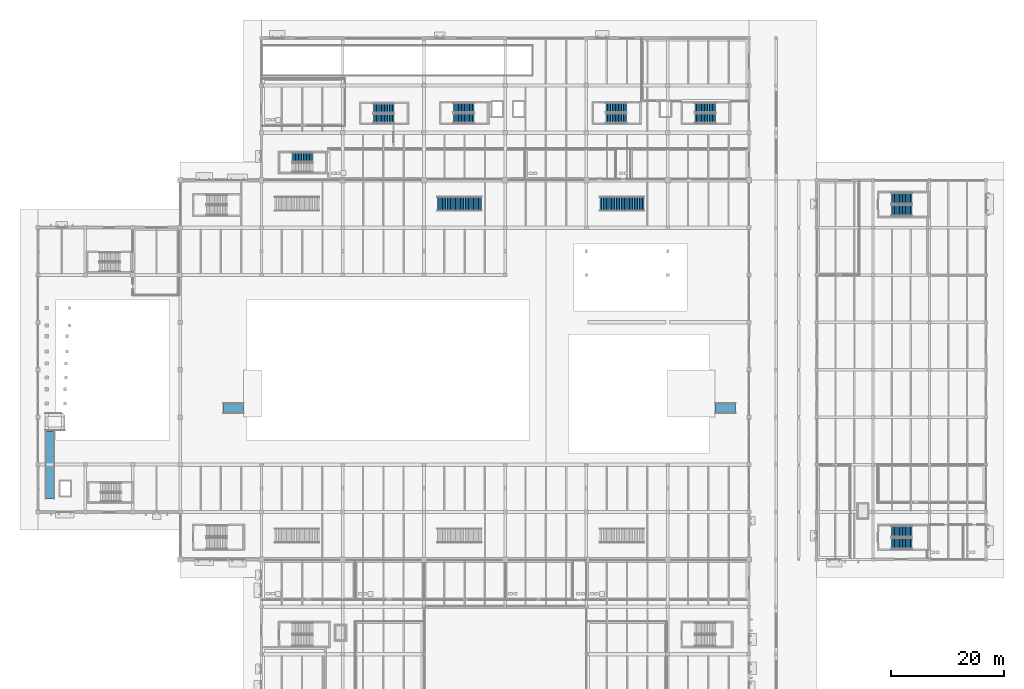
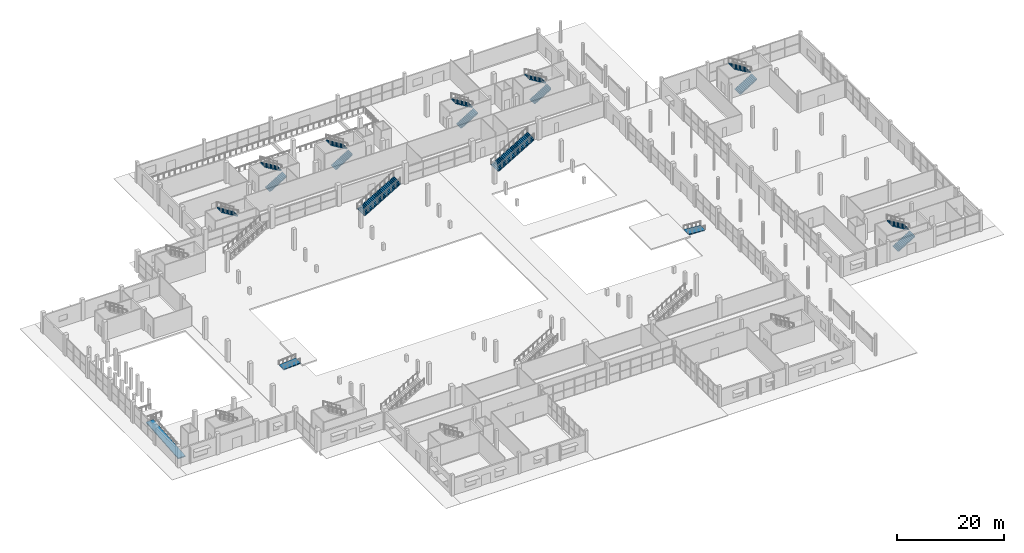
# One storey, part 100 of 130: 15 stair flights, 3 ramp flights, 12 elements without a shape of their own.
"""IFC4 building model written with IfcOpenShell, lengths in metres."""

from ifc_helpers import new_model, si_unit, direction, frame, origin, place, context, subcontext, project, spatial, polyline, outline, extrude, material, layer, layer_set, type_object, element, aggregate, save


model = new_model("IFC4")

# Units and contexts
model_context = context("Model", 3, precision=1e-05, world=origin(), true_north=direction((0.0, 1.0)))
body_context = subcontext(model_context, "Body", "Model", "MODEL_VIEW")
ifc_project = project(units=[si_unit("LENGTHUNIT", "METRE"), si_unit("AREAUNIT", "SQUARE_METRE"), si_unit("VOLUMEUNIT", "CUBIC_METRE"), si_unit("PLANEANGLEUNIT", "RADIAN"), si_unit("MASSUNIT", "GRAM", prefix="KILO"), si_unit("THERMODYNAMICTEMPERATUREUNIT", "KELVIN")], contexts=[model_context])

# Site, building, storey
site_placement = place(None, origin())
site = spatial("IfcSite", under=ifc_project, at=site_placement, CompositionType="ELEMENT")
building_placement = place(site_placement, origin())
building = spatial("IfcBuilding", under=site, at=building_placement, Name="Nduvali Passage Aquatics Centre", CompositionType="ELEMENT")
storey_placement = place(building_placement, origin())
storey = spatial("IfcBuildingStorey", under=building, at=storey_placement, Name="L00", CompositionType="ELEMENT", Elevation=0.0)

# Stair, stair flights
ifc_material = material(Name="Concrete C40/50", Category="concrete")
stair_type_1 = type_object("IfcStairType", Name="INT-STR-CORE168", PredefinedType="HALF_TURN_STAIR", material=ifc_material)
stair_1_placement = place(storey_placement, origin())
stair_1 = element("IfcStair", 1, at=stair_1_placement, inside=storey, type_object=stair_type_1, Name="L00 ST3", PredefinedType="HALF_TURN_STAIR")
stair_flight_type_1 = type_object("IfcStairFlightType", Name="INT-FLT-168", PredefinedType="STRAIGHT", material=ifc_material)
stair_flight_1_placement = place(storey_placement, frame((59.449951171875, 103.340087890625, 0.0), z_axis=(0.0, 0.0, 1.0), x_axis=(1.0, 0.0, 0.0)))
stair_flight_1 = element("IfcStairFlight", 2, at=stair_flight_1_placement, type_object=stair_flight_type_1, Name="ST3 flight 1", NumberOfRisers=14, NumberOfTreads=13, PredefinedType="STRAIGHT", RiserHeight=0.171428571, TreadLength=0.28, context=body_context, shape_type="SweptSolid", body=[
    extrude(outline(polyline([(0.0, 0.0), (0.0, 0.17138671875), (0.280029296875, 0.17138671875), (0.280029296875, 0.3427734375), (0.56005859375, 0.3427734375), (0.56005859375, 0.514404296875), (0.840087890625, 0.514404296875), (0.840087890625, 0.685791015625), (1.1201171875, 0.685791015625), (1.1201171875, 0.857177734375), (1.39990234375, 0.857177734375), (1.39990234375, 1.028564453125), (1.679931640625, 1.028564453125), (1.679931640625, 1.199951171875), (1.9599609375, 1.199951171875), (1.9599609375, 1.371337890625), (2.239990234375, 1.371337890625), (2.239990234375, 1.54296875), (2.52001953125, 1.54296875), (2.52001953125, 1.71435546875), (2.800048828125, 1.71435546875), (2.800048828125, 1.8857421875), (3.080078125, 1.8857421875), (3.080078125, 2.05712890625), (3.360107421875, 2.05712890625), (3.360107421875, 2.228515625), (3.639892578125, 2.228515625), (3.639892578125, 2.39990234375), (3.640625, 2.39990234375), (3.640625, 2.199951171875), (3.639892578125, 2.052734375), (0.287109375, 0.0), (0.0, 0.0)])), frame((0.0, 0.83984375, 0.0), z_axis=(0.0, -1.0, 0.0), x_axis=(1.0, 0.0, 0.0)), (0.0, 0.0, 1.0), 1.679931640625),
])
stair_flight_2_placement = place(storey_placement, frame((63.090087890625, 105.169921875, 2.39990234375), z_axis=(0.0, 0.0, 1.0), x_axis=(-1.0, 0.0, 0.0)))
stair_flight_2 = element("IfcStairFlight", 3, at=stair_flight_2_placement, type_object=stair_flight_type_1, Name="ST3 flight 2", NumberOfRisers=14, NumberOfTreads=13, PredefinedType="STRAIGHT", RiserHeight=0.171428571, TreadLength=0.28, context=body_context, shape_type="SweptSolid", body=[
    extrude(outline(polyline([(0.0, 0.0), (0.0, 0.17138671875), (0.280029296875, 0.17138671875), (0.280029296875, 0.3427734375), (0.56005859375, 0.3427734375), (0.56005859375, 0.514404296875), (0.840087890625, 0.514404296875), (0.840087890625, 0.685791015625), (1.1201171875, 0.685791015625), (1.1201171875, 0.857177734375), (1.39990234375, 0.857177734375), (1.39990234375, 1.028564453125), (1.679931640625, 1.028564453125), (1.679931640625, 1.199951171875), (1.9599609375, 1.199951171875), (1.9599609375, 1.371337890625), (2.239990234375, 1.371337890625), (2.239990234375, 1.54296875), (2.52001953125, 1.54296875), (2.52001953125, 1.71435546875), (2.800048828125, 1.71435546875), (2.800048828125, 1.8857421875), (3.080078125, 1.8857421875), (3.080078125, 2.05712890625), (3.360107421875, 2.05712890625), (3.360107421875, 2.228515625), (3.639892578125, 2.228515625), (3.639892578125, 2.39990234375), (3.640625, 2.39990234375), (3.640625, 2.199951171875), (3.639892578125, 2.052734375), (0.287109375, 0.0), (0.0, 0.0)])), frame((0.0, 0.83984375, 0.0), z_axis=(0.0, -1.0, 0.0), x_axis=(1.0, 0.0, 0.0)), (0.0, 0.0, 1.0), 1.679931640625),
])
aggregate(stair_1, [stair_flight_1, stair_flight_2])

# Stair, stair flight
stair_2_placement = place(storey_placement, origin())
stair_2 = element("IfcStair", 4, at=stair_2_placement, inside=storey, type_object=stair_type_1, Name="L00 ST4", PredefinedType="HALF_TURN_STAIR")
stair_flight_3_placement = place(storey_placement, frame((48.68994140625, 96.469970703125, 2.39990234375), z_axis=(0.0, 0.0, 1.0), x_axis=(-1.0, 0.0, 0.0)))
stair_flight_3 = element("IfcStairFlight", 5, at=stair_flight_3_placement, type_object=stair_flight_type_1, Name="ST4 flight 2", NumberOfRisers=14, NumberOfTreads=13, PredefinedType="STRAIGHT", RiserHeight=0.171428571, TreadLength=0.28, context=body_context, shape_type="SweptSolid", body=[
    extrude(outline(polyline([(0.0, 0.0), (0.0, 0.17138671875), (0.280029296875, 0.17138671875), (0.280029296875, 0.3427734375), (0.56005859375, 0.3427734375), (0.56005859375, 0.514404296875), (0.840087890625, 0.514404296875), (0.840087890625, 0.685791015625), (1.1201171875, 0.685791015625), (1.1201171875, 0.857177734375), (1.39990234375, 0.857177734375), (1.39990234375, 1.028564453125), (1.679931640625, 1.028564453125), (1.679931640625, 1.199951171875), (1.9599609375, 1.199951171875), (1.9599609375, 1.371337890625), (2.239990234375, 1.371337890625), (2.239990234375, 1.54296875), (2.52001953125, 1.54296875), (2.52001953125, 1.71435546875), (2.800048828125, 1.71435546875), (2.800048828125, 1.8857421875), (3.080078125, 1.8857421875), (3.080078125, 2.05712890625), (3.360107421875, 2.05712890625), (3.360107421875, 2.228515625), (3.639892578125, 2.228515625), (3.639892578125, 2.39990234375), (3.640625, 2.39990234375), (3.640625, 2.199951171875), (3.639892578125, 2.052734375), (0.287109375, 0.0), (0.0, 0.0)])), frame((0.0, 0.83984375, 0.0), z_axis=(0.0, -1.0, 0.0), x_axis=(1.0, 0.0, 0.0)), (0.0, 0.0, 1.0), 1.679931640625),
])
aggregate(stair_2, [stair_flight_3])

# Stair, stair flights
stair_type_2 = type_object("IfcStairType", Name="INT-STR-CORE172", PredefinedType="HALF_TURN_STAIR", material=ifc_material)
stair_3_placement = place(storey_placement, origin())
stair_3 = element("IfcStair", 6, at=stair_3_placement, inside=storey, type_object=stair_type_2, Name="L00 ST1", PredefinedType="HALF_TURN_STAIR")
stair_flight_type_2 = type_object("IfcStairFlightType", Name="INT-FLT-172", PredefinedType="STRAIGHT", material=ifc_material)
stair_flight_4_placement = place(storey_placement, frame((73.64990234375, 103.360107421875, 0.0), z_axis=(0.0, 0.0, 1.0), x_axis=(1.0, 0.0, 0.0)))
stair_flight_4 = element("IfcStairFlight", 7, at=stair_flight_4_placement, type_object=stair_flight_type_2, Name="ST1 flight 1", NumberOfRisers=14, NumberOfTreads=13, PredefinedType="STRAIGHT", RiserHeight=0.171428571, TreadLength=0.28, context=body_context, shape_type="SweptSolid", body=[
    extrude(outline(polyline([(0.0, 0.0), (0.0, 0.17138671875), (0.280029296875, 0.17138671875), (0.280029296875, 0.3427734375), (0.56005859375, 0.3427734375), (0.56005859375, 0.514404296875), (0.840087890625, 0.514404296875), (0.840087890625, 0.685791015625), (1.1201171875, 0.685791015625), (1.1201171875, 0.857177734375), (1.39990234375, 0.857177734375), (1.39990234375, 1.028564453125), (1.679931640625, 1.028564453125), (1.679931640625, 1.199951171875), (1.9599609375, 1.199951171875), (1.9599609375, 1.371337890625), (2.239990234375, 1.371337890625), (2.239990234375, 1.54296875), (2.52001953125, 1.54296875), (2.52001953125, 1.71435546875), (2.800048828125, 1.71435546875), (2.800048828125, 1.8857421875), (3.080078125, 1.8857421875), (3.080078125, 2.05712890625), (3.360107421875, 2.05712890625), (3.360107421875, 2.228515625), (3.639892578125, 2.228515625), (3.639892578125, 2.39990234375), (3.640625, 2.39990234375), (3.640625, 2.199951171875), (3.639892578125, 2.052734375), (0.287109375, 0.0), (0.0, 0.0)])), frame((0.0, 0.85986328125, 0.0), z_axis=(0.0, -1.0, 0.0), x_axis=(1.0, 0.0, 0.0)), (0.0, 0.0, 1.0), 1.719970703125),
])
stair_flight_5_placement = place(storey_placement, frame((77.2900390625, 105.22998046875, 2.39990234375), z_axis=(0.0, 0.0, 1.0), x_axis=(-1.0, 0.0, 0.0)))
stair_flight_5 = element("IfcStairFlight", 8, at=stair_flight_5_placement, type_object=stair_flight_type_2, Name="ST1 flight 2", NumberOfRisers=14, NumberOfTreads=13, PredefinedType="STRAIGHT", RiserHeight=0.171428571, TreadLength=0.28, context=body_context, shape_type="SweptSolid", body=[
    extrude(outline(polyline([(0.0, 0.0), (0.0, 0.17138671875), (0.280029296875, 0.17138671875), (0.280029296875, 0.3427734375), (0.56005859375, 0.3427734375), (0.56005859375, 0.514404296875), (0.840087890625, 0.514404296875), (0.840087890625, 0.685791015625), (1.1201171875, 0.685791015625), (1.1201171875, 0.857177734375), (1.39990234375, 0.857177734375), (1.39990234375, 1.028564453125), (1.679931640625, 1.028564453125), (1.679931640625, 1.199951171875), (1.9599609375, 1.199951171875), (1.9599609375, 1.371337890625), (2.239990234375, 1.371337890625), (2.239990234375, 1.54296875), (2.52001953125, 1.54296875), (2.52001953125, 1.71435546875), (2.800048828125, 1.71435546875), (2.800048828125, 1.8857421875), (3.080078125, 1.8857421875), (3.080078125, 2.05712890625), (3.360107421875, 2.05712890625), (3.360107421875, 2.228515625), (3.639892578125, 2.228515625), (3.639892578125, 2.39990234375), (3.640625, 2.39990234375), (3.640625, 2.199951171875), (3.639892578125, 2.052734375), (0.287109375, 0.0), (0.0, 0.0)])), frame((0.0, 0.85986328125, 0.0), z_axis=(0.0, -1.0, 0.0), x_axis=(1.0, 0.0, 0.0)), (0.0, 0.0, 1.0), 1.719970703125),
])
aggregate(stair_3, [stair_flight_4, stair_flight_5])

stair_4_placement = place(storey_placement, origin())
stair_4 = element("IfcStair", 9, at=stair_4_placement, inside=storey, type_object=stair_type_2, Name="L00 ST2", PredefinedType="HALF_TURN_STAIR")
stair_flight_6_placement = place(storey_placement, frame((116.449951171875, 103.360107421875, 0.0), z_axis=(0.0, 0.0, 1.0), x_axis=(1.0, 0.0, 0.0)))
stair_flight_6 = element("IfcStairFlight", 10, at=stair_flight_6_placement, type_object=stair_flight_type_2, Name="ST2 flight 1", NumberOfRisers=14, NumberOfTreads=13, PredefinedType="STRAIGHT", RiserHeight=0.171428571, TreadLength=0.28, context=body_context, shape_type="SweptSolid", body=[
    extrude(outline(polyline([(0.0, 0.0), (0.0, 0.17138671875), (0.280029296875, 0.17138671875), (0.280029296875, 0.3427734375), (0.56005859375, 0.3427734375), (0.56005859375, 0.514404296875), (0.840087890625, 0.514404296875), (0.840087890625, 0.685791015625), (1.1201171875, 0.685791015625), (1.1201171875, 0.857177734375), (1.39990234375, 0.857177734375), (1.39990234375, 1.028564453125), (1.679931640625, 1.028564453125), (1.679931640625, 1.199951171875), (1.9599609375, 1.199951171875), (1.9599609375, 1.371337890625), (2.239990234375, 1.371337890625), (2.239990234375, 1.54296875), (2.52001953125, 1.54296875), (2.52001953125, 1.71435546875), (2.800048828125, 1.71435546875), (2.800048828125, 1.8857421875), (3.080078125, 1.8857421875), (3.080078125, 2.05712890625), (3.360107421875, 2.05712890625), (3.360107421875, 2.228515625), (3.639892578125, 2.228515625), (3.639892578125, 2.39990234375), (3.640625, 2.39990234375), (3.640625, 2.199951171875), (3.639892578125, 2.052734375), (0.287109375, 0.0), (0.0, 0.0)])), frame((0.0, 0.85986328125, 0.0), z_axis=(0.0, -1.0, 0.0), x_axis=(1.0, 0.0, 0.0)), (0.0, 0.0, 1.0), 1.719970703125),
])
stair_flight_7_placement = place(storey_placement, frame((120.090087890625, 105.22998046875, 2.39990234375), z_axis=(0.0, 0.0, 1.0), x_axis=(-1.0, 0.0, 0.0)))
stair_flight_7 = element("IfcStairFlight", 11, at=stair_flight_7_placement, type_object=stair_flight_type_2, Name="ST2 flight 2", NumberOfRisers=14, NumberOfTreads=13, PredefinedType="STRAIGHT", RiserHeight=0.171428571, TreadLength=0.28, context=body_context, shape_type="SweptSolid", body=[
    extrude(outline(polyline([(0.0, 0.0), (0.0, 0.17138671875), (0.280029296875, 0.17138671875), (0.280029296875, 0.3427734375), (0.56005859375, 0.3427734375), (0.56005859375, 0.514404296875), (0.840087890625, 0.514404296875), (0.840087890625, 0.685791015625), (1.1201171875, 0.685791015625), (1.1201171875, 0.857177734375), (1.39990234375, 0.857177734375), (1.39990234375, 1.028564453125), (1.679931640625, 1.028564453125), (1.679931640625, 1.199951171875), (1.9599609375, 1.199951171875), (1.9599609375, 1.371337890625), (2.239990234375, 1.371337890625), (2.239990234375, 1.54296875), (2.52001953125, 1.54296875), (2.52001953125, 1.71435546875), (2.800048828125, 1.71435546875), (2.800048828125, 1.8857421875), (3.080078125, 1.8857421875), (3.080078125, 2.05712890625), (3.360107421875, 2.05712890625), (3.360107421875, 2.228515625), (3.639892578125, 2.228515625), (3.639892578125, 2.39990234375), (3.640625, 2.39990234375), (3.640625, 2.199951171875), (3.639892578125, 2.052734375), (0.287109375, 0.0), (0.0, 0.0)])), frame((0.0, 0.85986328125, 0.0), z_axis=(0.0, -1.0, 0.0), x_axis=(1.0, 0.0, 0.0)), (0.0, 0.0, 1.0), 1.719970703125),
])
aggregate(stair_4, [stair_flight_6, stair_flight_7])

stair_5_placement = place(storey_placement, origin())
stair_5 = element("IfcStair", 12, at=stair_5_placement, inside=storey, type_object=stair_type_2, Name="L00 ST11", PredefinedType="HALF_TURN_STAIR")
stair_flight_8_placement = place(storey_placement, frame((100.64990234375, 103.360107421875, 0.0), z_axis=(0.0, 0.0, 1.0), x_axis=(1.0, 0.0, 0.0)))
stair_flight_8 = element("IfcStairFlight", 13, at=stair_flight_8_placement, type_object=stair_flight_type_2, Name="ST11 flight 1", NumberOfRisers=14, NumberOfTreads=13, PredefinedType="STRAIGHT", RiserHeight=0.171428571, TreadLength=0.28, context=body_context, shape_type="SweptSolid", body=[
    extrude(outline(polyline([(0.0, 0.0), (0.0, 0.17138671875), (0.280029296875, 0.17138671875), (0.280029296875, 0.3427734375), (0.56005859375, 0.3427734375), (0.56005859375, 0.514404296875), (0.840087890625, 0.514404296875), (0.840087890625, 0.685791015625), (1.1201171875, 0.685791015625), (1.1201171875, 0.857177734375), (1.39990234375, 0.857177734375), (1.39990234375, 1.028564453125), (1.679931640625, 1.028564453125), (1.679931640625, 1.199951171875), (1.9599609375, 1.199951171875), (1.9599609375, 1.371337890625), (2.239990234375, 1.371337890625), (2.239990234375, 1.54296875), (2.52001953125, 1.54296875), (2.52001953125, 1.71435546875), (2.800048828125, 1.71435546875), (2.800048828125, 1.8857421875), (3.080078125, 1.8857421875), (3.080078125, 2.05712890625), (3.360107421875, 2.05712890625), (3.360107421875, 2.228515625), (3.639892578125, 2.228515625), (3.639892578125, 2.39990234375), (3.640625, 2.39990234375), (3.640625, 2.199951171875), (3.639892578125, 2.052734375), (0.287109375, 0.0), (0.0, 0.0)])), frame((0.0, 0.85986328125, 0.0), z_axis=(0.0, -1.0, 0.0), x_axis=(1.0, 0.0, 0.0)), (0.0, 0.0, 1.0), 1.719970703125),
])
stair_flight_9_placement = place(storey_placement, frame((104.2900390625, 105.22998046875, 2.39990234375), z_axis=(0.0, 0.0, 1.0), x_axis=(-1.0, 0.0, 0.0)))
stair_flight_9 = element("IfcStairFlight", 14, at=stair_flight_9_placement, type_object=stair_flight_type_2, Name="ST11 flight 2", NumberOfRisers=14, NumberOfTreads=13, PredefinedType="STRAIGHT", RiserHeight=0.171428571, TreadLength=0.28, context=body_context, shape_type="SweptSolid", body=[
    extrude(outline(polyline([(0.0, 0.0), (0.0, 0.17138671875), (0.280029296875, 0.17138671875), (0.280029296875, 0.3427734375), (0.56005859375, 0.3427734375), (0.56005859375, 0.514404296875), (0.840087890625, 0.514404296875), (0.840087890625, 0.685791015625), (1.1201171875, 0.685791015625), (1.1201171875, 0.857177734375), (1.39990234375, 0.857177734375), (1.39990234375, 1.028564453125), (1.679931640625, 1.028564453125), (1.679931640625, 1.199951171875), (1.9599609375, 1.199951171875), (1.9599609375, 1.371337890625), (2.239990234375, 1.371337890625), (2.239990234375, 1.54296875), (2.52001953125, 1.54296875), (2.52001953125, 1.71435546875), (2.800048828125, 1.71435546875), (2.800048828125, 1.8857421875), (3.080078125, 1.8857421875), (3.080078125, 2.05712890625), (3.360107421875, 2.05712890625), (3.360107421875, 2.228515625), (3.639892578125, 2.228515625), (3.639892578125, 2.39990234375), (3.640625, 2.39990234375), (3.640625, 2.199951171875), (3.639892578125, 2.052734375), (0.287109375, 0.0), (0.0, 0.0)])), frame((0.0, 0.85986328125, 0.0), z_axis=(0.0, -1.0, 0.0), x_axis=(1.0, 0.0, 0.0)), (0.0, 0.0, 1.0), 1.719970703125),
])
aggregate(stair_5, [stair_flight_8, stair_flight_9])

stair_type_3 = type_object("IfcStairType", Name="INT-STR-CORE202", PredefinedType="HALF_TURN_STAIR", material=ifc_material)
stair_6_placement = place(storey_placement, origin())
stair_6 = element("IfcStair", 15, at=stair_6_placement, inside=storey, type_object=stair_type_3, Name="L00 ST7", PredefinedType="HALF_TURN_STAIR")
stair_flight_type_3 = type_object("IfcStairFlightType", Name="INT-FLT-202", PredefinedType="STRAIGHT", material=ifc_material)
stair_flight_10_placement = place(storey_placement, frame((151.25, 28.010009765625, 0.0), z_axis=(0.0, 0.0, 1.0), x_axis=(1.0, 0.0, 0.0)))
stair_flight_10 = element("IfcStairFlight", 16, at=stair_flight_10_placement, type_object=stair_flight_type_3, Name="ST7 flight 1", NumberOfRisers=14, NumberOfTreads=13, PredefinedType="STRAIGHT", RiserHeight=0.171428571, TreadLength=0.28, context=body_context, shape_type="SweptSolid", body=[
    extrude(outline(polyline([(0.0, 0.0), (0.0, 0.17138671875), (0.280029296875, 0.17138671875), (0.280029296875, 0.3427734375), (0.56005859375, 0.3427734375), (0.56005859375, 0.514404296875), (0.840087890625, 0.514404296875), (0.840087890625, 0.685791015625), (1.1201171875, 0.685791015625), (1.1201171875, 0.857177734375), (1.39990234375, 0.857177734375), (1.39990234375, 1.028564453125), (1.679931640625, 1.028564453125), (1.679931640625, 1.199951171875), (1.9599609375, 1.199951171875), (1.9599609375, 1.371337890625), (2.239990234375, 1.371337890625), (2.239990234375, 1.54296875), (2.52001953125, 1.54296875), (2.52001953125, 1.71435546875), (2.800048828125, 1.71435546875), (2.800048828125, 1.8857421875), (3.080078125, 1.8857421875), (3.080078125, 2.05712890625), (3.360107421875, 2.05712890625), (3.360107421875, 2.228515625), (3.639892578125, 2.228515625), (3.639892578125, 2.39990234375), (3.640625, 2.39990234375), (3.640625, 2.199951171875), (3.639892578125, 2.052734375), (0.287109375, 0.0), (0.0, 0.0)])), frame((0.0, 1.010009765625, 0.0), z_axis=(0.0, -1.0, 0.0), x_axis=(1.0, 0.0, 0.0)), (0.0, 0.0, 1.0), 2.02001953125),
])
stair_flight_11_placement = place(storey_placement, frame((154.889892578125, 30.179931640625, 2.39990234375), z_axis=(0.0, 0.0, 1.0), x_axis=(-1.0, 0.0, 0.0)))
stair_flight_11 = element("IfcStairFlight", 17, at=stair_flight_11_placement, type_object=stair_flight_type_3, Name="ST7 flight 2", NumberOfRisers=14, NumberOfTreads=13, PredefinedType="STRAIGHT", RiserHeight=0.171428571, TreadLength=0.28, context=body_context, shape_type="SweptSolid", body=[
    extrude(outline(polyline([(0.0, 0.0), (0.0, 0.17138671875), (0.280029296875, 0.17138671875), (0.280029296875, 0.3427734375), (0.56005859375, 0.3427734375), (0.56005859375, 0.514404296875), (0.840087890625, 0.514404296875), (0.840087890625, 0.685791015625), (1.1201171875, 0.685791015625), (1.1201171875, 0.857177734375), (1.39990234375, 0.857177734375), (1.39990234375, 1.028564453125), (1.679931640625, 1.028564453125), (1.679931640625, 1.199951171875), (1.9599609375, 1.199951171875), (1.9599609375, 1.371337890625), (2.239990234375, 1.371337890625), (2.239990234375, 1.54296875), (2.52001953125, 1.54296875), (2.52001953125, 1.71435546875), (2.800048828125, 1.71435546875), (2.800048828125, 1.8857421875), (3.080078125, 1.8857421875), (3.080078125, 2.05712890625), (3.360107421875, 2.05712890625), (3.360107421875, 2.228515625), (3.639892578125, 2.228515625), (3.639892578125, 2.39990234375), (3.640625, 2.39990234375), (3.640625, 2.199951171875), (3.639892578125, 2.052734375), (0.287109375, 0.0), (0.0, 0.0)])), frame((0.0, 1.010009765625, 0.0), z_axis=(0.0, -1.0, 0.0), x_axis=(1.0, 0.0, 0.0)), (0.0, 0.0, 1.0), 2.02001953125),
])
aggregate(stair_6, [stair_flight_10, stair_flight_11])

stair_7_placement = place(storey_placement, origin())
stair_7 = element("IfcStair", 18, at=stair_7_placement, inside=storey, type_object=stair_type_3, Name="L00 ST8", PredefinedType="HALF_TURN_STAIR")
stair_flight_12_placement = place(storey_placement, frame((151.25, 87.010009765625, 0.0), z_axis=(0.0, 0.0, 1.0), x_axis=(1.0, 0.0, 0.0)))
stair_flight_12 = element("IfcStairFlight", 19, at=stair_flight_12_placement, type_object=stair_flight_type_3, Name="ST8 flight 1", NumberOfRisers=14, NumberOfTreads=13, PredefinedType="STRAIGHT", RiserHeight=0.171428571, TreadLength=0.28, context=body_context, shape_type="SweptSolid", body=[
    extrude(outline(polyline([(0.0, 0.0), (0.0, 0.17138671875), (0.280029296875, 0.17138671875), (0.280029296875, 0.3427734375), (0.56005859375, 0.3427734375), (0.56005859375, 0.514404296875), (0.840087890625, 0.514404296875), (0.840087890625, 0.685791015625), (1.1201171875, 0.685791015625), (1.1201171875, 0.857177734375), (1.39990234375, 0.857177734375), (1.39990234375, 1.028564453125), (1.679931640625, 1.028564453125), (1.679931640625, 1.199951171875), (1.9599609375, 1.199951171875), (1.9599609375, 1.371337890625), (2.239990234375, 1.371337890625), (2.239990234375, 1.54296875), (2.52001953125, 1.54296875), (2.52001953125, 1.71435546875), (2.800048828125, 1.71435546875), (2.800048828125, 1.8857421875), (3.080078125, 1.8857421875), (3.080078125, 2.05712890625), (3.360107421875, 2.05712890625), (3.360107421875, 2.228515625), (3.639892578125, 2.228515625), (3.639892578125, 2.39990234375), (3.640625, 2.39990234375), (3.640625, 2.199951171875), (3.639892578125, 2.052734375), (0.287109375, 0.0), (0.0, 0.0)])), frame((0.0, 1.010009765625, 0.0), z_axis=(0.0, -1.0, 0.0), x_axis=(1.0, 0.0, 0.0)), (0.0, 0.0, 1.0), 2.02001953125),
])
stair_flight_13_placement = place(storey_placement, frame((154.889892578125, 89.179931640625, 2.39990234375), z_axis=(0.0, 0.0, 1.0), x_axis=(-1.0, 0.0, 0.0)))
stair_flight_13 = element("IfcStairFlight", 20, at=stair_flight_13_placement, type_object=stair_flight_type_3, Name="ST8 flight 2", NumberOfRisers=14, NumberOfTreads=13, PredefinedType="STRAIGHT", RiserHeight=0.171428571, TreadLength=0.28, context=body_context, shape_type="SweptSolid", body=[
    extrude(outline(polyline([(0.0, 0.0), (0.0, 0.17138671875), (0.280029296875, 0.17138671875), (0.280029296875, 0.3427734375), (0.56005859375, 0.3427734375), (0.56005859375, 0.514404296875), (0.840087890625, 0.514404296875), (0.840087890625, 0.685791015625), (1.1201171875, 0.685791015625), (1.1201171875, 0.857177734375), (1.39990234375, 0.857177734375), (1.39990234375, 1.028564453125), (1.679931640625, 1.028564453125), (1.679931640625, 1.199951171875), (1.9599609375, 1.199951171875), (1.9599609375, 1.371337890625), (2.239990234375, 1.371337890625), (2.239990234375, 1.54296875), (2.52001953125, 1.54296875), (2.52001953125, 1.71435546875), (2.800048828125, 1.71435546875), (2.800048828125, 1.8857421875), (3.080078125, 1.8857421875), (3.080078125, 2.05712890625), (3.360107421875, 2.05712890625), (3.360107421875, 2.228515625), (3.639892578125, 2.228515625), (3.639892578125, 2.39990234375), (3.640625, 2.39990234375), (3.640625, 2.199951171875), (3.639892578125, 2.052734375), (0.287109375, 0.0), (0.0, 0.0)])), frame((0.0, 1.010009765625, 0.0), z_axis=(0.0, -1.0, 0.0), x_axis=(1.0, 0.0, 0.0)), (0.0, 0.0, 1.0), 2.02001953125),
])
aggregate(stair_7, [stair_flight_12, stair_flight_13])

# Stair, stair flight
stair_type_4 = type_object("IfcStairType", Name="INT-STR-VOM210", PredefinedType="STRAIGHT_RUN_STAIR", material=ifc_material)
stair_8_placement = place(storey_placement, origin())
stair_8 = element("IfcStair", 21, at=stair_8_placement, inside=storey, type_object=stair_type_4, Name="L00 Spectator Concourse Vomitory Stair VST5", PredefinedType="STRAIGHT_RUN_STAIR")
stair_flight_type_4 = type_object("IfcStairFlightType", Name="INT-FLT-210", PredefinedType="STRAIGHT", material=ifc_material)
stair_flight_14_placement = place(storey_placement, frame((70.800048828125, 88.199951171875, 0.0), z_axis=(0.0, 0.0, 1.0), x_axis=(1.0, 0.0, 0.0)))
stair_flight_14 = element("IfcStairFlight", 22, at=stair_flight_14_placement, type_object=stair_flight_type_4, Name="VST5 flight 1", NumberOfRisers=28, NumberOfTreads=27, PredefinedType="STRAIGHT", RiserHeight=0.171429, TreadLength=0.29, context=body_context, shape_type="SweptSolid", body=[
    extrude(outline(polyline([(0.0, 0.0), (0.0, 0.17138671875), (0.2900390625, 0.17138671875), (0.2900390625, 0.3427734375), (0.580078125, 0.3427734375), (0.580078125, 0.514404296875), (0.8701171875, 0.514404296875), (0.8701171875, 0.685791015625), (1.159912109375, 0.685791015625), (1.159912109375, 0.857177734375), (1.449951171875, 0.857177734375), (1.449951171875, 1.028564453125), (1.739990234375, 1.028564453125), (1.739990234375, 1.199951171875), (2.030029296875, 1.199951171875), (2.030029296875, 1.371337890625), (2.320068359375, 1.371337890625), (2.320068359375, 1.54296875), (2.610107421875, 1.54296875), (2.610107421875, 1.71435546875), (2.89990234375, 1.71435546875), (2.89990234375, 1.8857421875), (3.18994140625, 1.8857421875), (3.18994140625, 2.05712890625), (3.47998046875, 2.05712890625), (3.47998046875, 2.228515625), (3.77001953125, 2.228515625), (3.77001953125, 2.39990234375), (4.06005859375, 2.39990234375), (4.06005859375, 2.571533203125), (4.35009765625, 2.571533203125), (4.35009765625, 2.742919921875), (4.639892578125, 2.742919921875), (4.639892578125, 2.914306640625), (4.929931640625, 2.914306640625), (4.929931640625, 3.085693359375), (5.219970703125, 3.085693359375), (5.219970703125, 3.257080078125), (5.510009765625, 3.257080078125), (5.510009765625, 3.428466796875), (5.800048828125, 3.428466796875), (5.800048828125, 3.60009765625), (6.090087890625, 3.60009765625), (6.090087890625, 3.771484375), (6.3798828125, 3.771484375), (6.3798828125, 3.94287109375), (6.669921875, 3.94287109375), (6.669921875, 4.1142578125), (6.9599609375, 4.1142578125), (6.9599609375, 4.28564453125), (7.25, 4.28564453125), (7.25, 4.457275390625), (7.5400390625, 4.457275390625), (7.5400390625, 4.628662109375), (7.830078125, 4.628662109375), (7.830078125, 4.800048828125), (7.830810546875, 4.800048828125), (7.830810546875, 4.60009765625), (7.830078125, 4.396240234375), (0.392822265625, 0.0), (0.0, 0.0)])), frame((0.0, 1.27490234375, 0.0), z_axis=(0.0, -1.0, 0.0), x_axis=(1.0, 0.0, 0.0)), (0.0, 0.0, 1.0), 2.550048828125),
])
aggregate(stair_8, [stair_flight_14])

stair_9_placement = place(storey_placement, origin())
stair_9 = element("IfcStair", 23, at=stair_9_placement, inside=storey, type_object=stair_type_4, Name="L00 Spectator Concourse Vomitory Stair VST6", PredefinedType="STRAIGHT_RUN_STAIR")
stair_flight_15_placement = place(storey_placement, frame((99.60009765625, 88.199951171875, 0.0), z_axis=(0.0, 0.0, 1.0), x_axis=(1.0, 0.0, 0.0)))
stair_flight_15 = element("IfcStairFlight", 24, at=stair_flight_15_placement, type_object=stair_flight_type_4, Name="VST6 flight 1", NumberOfRisers=28, NumberOfTreads=27, PredefinedType="STRAIGHT", RiserHeight=0.171429, TreadLength=0.29, context=body_context, shape_type="SweptSolid", body=[
    extrude(outline(polyline([(0.0, 0.0), (0.0, 0.17138671875), (0.2900390625, 0.17138671875), (0.2900390625, 0.3427734375), (0.580078125, 0.3427734375), (0.580078125, 0.514404296875), (0.8701171875, 0.514404296875), (0.8701171875, 0.685791015625), (1.159912109375, 0.685791015625), (1.159912109375, 0.857177734375), (1.449951171875, 0.857177734375), (1.449951171875, 1.028564453125), (1.739990234375, 1.028564453125), (1.739990234375, 1.199951171875), (2.030029296875, 1.199951171875), (2.030029296875, 1.371337890625), (2.320068359375, 1.371337890625), (2.320068359375, 1.54296875), (2.610107421875, 1.54296875), (2.610107421875, 1.71435546875), (2.89990234375, 1.71435546875), (2.89990234375, 1.8857421875), (3.18994140625, 1.8857421875), (3.18994140625, 2.05712890625), (3.47998046875, 2.05712890625), (3.47998046875, 2.228515625), (3.77001953125, 2.228515625), (3.77001953125, 2.39990234375), (4.06005859375, 2.39990234375), (4.06005859375, 2.571533203125), (4.35009765625, 2.571533203125), (4.35009765625, 2.742919921875), (4.639892578125, 2.742919921875), (4.639892578125, 2.914306640625), (4.929931640625, 2.914306640625), (4.929931640625, 3.085693359375), (5.219970703125, 3.085693359375), (5.219970703125, 3.257080078125), (5.510009765625, 3.257080078125), (5.510009765625, 3.428466796875), (5.800048828125, 3.428466796875), (5.800048828125, 3.60009765625), (6.090087890625, 3.60009765625), (6.090087890625, 3.771484375), (6.3798828125, 3.771484375), (6.3798828125, 3.94287109375), (6.669921875, 3.94287109375), (6.669921875, 4.1142578125), (6.9599609375, 4.1142578125), (6.9599609375, 4.28564453125), (7.25, 4.28564453125), (7.25, 4.457275390625), (7.5400390625, 4.457275390625), (7.5400390625, 4.628662109375), (7.830078125, 4.628662109375), (7.830078125, 4.800048828125), (7.830810546875, 4.800048828125), (7.830810546875, 4.60009765625), (7.830078125, 4.396240234375), (0.392822265625, 0.0), (0.0, 0.0)])), frame((0.0, 1.27490234375, 0.0), z_axis=(0.0, -1.0, 0.0), x_axis=(1.0, 0.0, 0.0)), (0.0, 0.0, 1.0), 2.550048828125),
])
aggregate(stair_9, [stair_flight_15])

# Ramp, ramp flight
ramp_type = type_object("IfcRampType", Name="ARCH-RMP-PED", PredefinedType="STRAIGHT_RUN_RAMP", material=ifc_material)
ramp_1_placement = place(storey_placement, origin())
ramp_1 = element("IfcRamp", 25, at=ramp_1_placement, inside=storey, type_object=ramp_type, Name="Competition Poolside Timing Plinth Ramp PR1", PredefinedType="STRAIGHT_RUN_RAMP")
ifc_layer = layer(ifc_material, 0.219970703125, Name="Concrete C40/50")
ifc_layer_set = layer_set([ifc_layer], Name="Concrete C40/50")
ramp_flight_type = type_object("IfcRampFlightType", Name="ARCH-RMF-PED", PredefinedType="STRAIGHT", material=ifc_layer_set)
ramp_flight_1_placement = place(storey_placement, frame((32.800048828125, 52.0, 0.0), z_axis=(0.0, 0.0, 1.0), x_axis=(1.0, 0.0, 0.0)))
ramp_flight_1 = element("IfcRampFlight", 26, at=ramp_flight_1_placement, type_object=ramp_flight_type, Name="Competition Poolside Timing Plinth Ramp PR1 Flight", PredefinedType="STRAIGHT", context=body_context, shape_type="SweptSolid", body=[
    extrude(outline(polyline([(0.0, -0.219970703125), (3.599853515625, 0.080078125), (3.599853515625, 0.300048828125), (0.0, 0.0), (0.0, -0.219970703125)])), frame((0.0, 0.89990234375, 0.0), z_axis=(0.0, -1.0, 0.0), x_axis=(1.0, 0.0, 0.0)), (0.0, 0.0, 1.0), 1.800048828125),
])
aggregate(ramp_1, [ramp_flight_1])

ramp_2_placement = place(storey_placement, origin())
ramp_2 = element("IfcRamp", 27, at=ramp_2_placement, inside=storey, type_object=ramp_type, Name="Training Poolside Coaching Plinth Ramp PR2", PredefinedType="STRAIGHT_RUN_RAMP")
ramp_flight_2_placement = place(storey_placement, frame((123.60009765625, 52.0, 0.0), z_axis=(0.0, 0.0, 1.0), x_axis=(-1.0, 0.0, 0.0)))
ramp_flight_2 = element("IfcRampFlight", 28, at=ramp_flight_2_placement, type_object=ramp_flight_type, Name="Training Poolside Coaching Plinth Ramp PR2 Flight", PredefinedType="STRAIGHT", context=body_context, shape_type="SweptSolid", body=[
    extrude(outline(polyline([(0.0, -0.219970703125), (3.60009765625, 0.080078125), (3.60009765625, 0.300048828125), (0.0, 0.0), (0.0, -0.219970703125)])), frame((0.0, 0.89990234375, 0.0), z_axis=(0.0, -1.0, 0.0), x_axis=(1.0, 0.0, 0.0)), (0.0, 0.0, 1.0), 1.800048828125),
])
aggregate(ramp_2, [ramp_flight_2])

ramp_3_placement = place(storey_placement, origin())
ramp_3 = element("IfcRamp", 29, at=ramp_3_placement, inside=storey, type_object=ramp_type, Name="Diving 1m Springboard Plinth Accessible Ramp PR6", PredefinedType="STRAIGHT_RUN_RAMP")
ramp_flight_3_placement = place(storey_placement, frame((2.10009765625, 36.0, 0.0), z_axis=(0.0, 0.0, 1.0), x_axis=(0.0, 1.0, 0.0)))
ramp_flight_3 = element("IfcRampFlight", 30, at=ramp_flight_3_placement, type_object=ramp_flight_type, Name="Diving 1m Springboard Plinth Accessible Ramp PR6 Flight", PredefinedType="STRAIGHT", context=body_context, shape_type="SweptSolid", body=[
    extrude(outline(polyline([(0.0, -0.219970703125), (12.0, 0.780029296875), (12.0, 1.0), (0.0, 0.0), (0.0, -0.219970703125)])), frame((0.0, 0.800048828125, 0.0), z_axis=(0.0, -1.0, 0.0), x_axis=(1.0, 0.0, 0.0)), (0.0, 0.0, 1.0), 1.60009765625),
])
aggregate(ramp_3, [ramp_flight_3])

save(model, "model.ifc")
